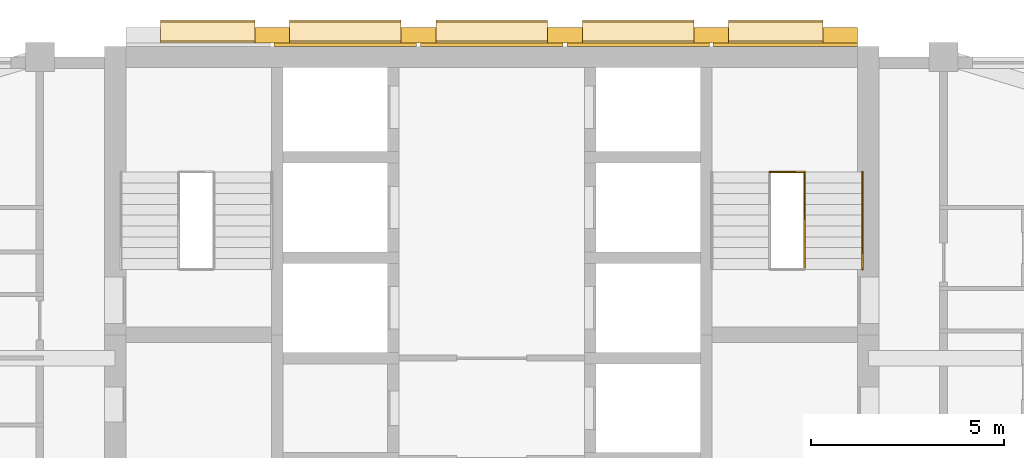
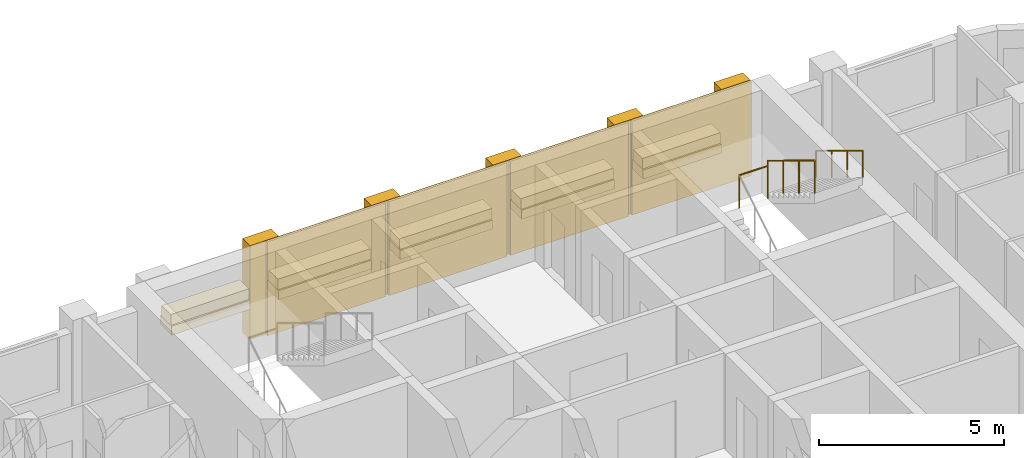
# One storey, part 13 of 13: 19 coverings, 3 railings, 1 element without a shape of its own.
"""IFC4 building model written with IfcOpenShell, lengths in metres."""

from ifc_helpers import new_model, si_unit, direction, frame, origin, origin_2d, place, context, subcontext, project, spatial, rectangle, circle, extrude, material, layer, layer_set, type_object, element, aggregate, save


model = new_model("IFC4")

# Units and contexts
model_context = context("Model", 3, precision=1e-05, world=origin(), true_north=direction((0.0, 1.0)))
body_context = subcontext(model_context, "Body", "Model", "MODEL_VIEW")
ifc_project = project(units=[si_unit("LENGTHUNIT", "METRE"), si_unit("AREAUNIT", "SQUARE_METRE"), si_unit("VOLUMEUNIT", "CUBIC_METRE"), si_unit("PLANEANGLEUNIT", "RADIAN"), si_unit("MASSUNIT", "GRAM", prefix="KILO")], contexts=[model_context])

# Site, building, storey
site_placement = place(None, origin())
site = spatial("IfcSite", under=ifc_project, at=site_placement, CompositionType="ELEMENT")
building_placement = place(site_placement, origin())
building = spatial("IfcBuilding", under=site, at=building_placement, Name="Ludao Terraces", CompositionType="ELEMENT")
storey_placement = place(building_placement, frame((0.0, 0.0, 162.199951171875)))
storey = spatial("IfcBuildingStorey", under=building, at=storey_placement, Name="L44", CompositionType="ELEMENT", Elevation=162.199951171875)

# Coverings
ifc_material_1 = material(Name="Granite cladding", Category="masonry")
ifc_layer_1 = layer(ifc_material_1, 0.39990234375)
ifc_layer_set_1 = layer_set([ifc_layer_1], Name="ENV Core pilaster stone 400")
covering_type_1 = type_object("IfcCoveringType", Name="ENV Core pilaster stone 400", PredefinedType="CLADDING", material=ifc_layer_set_1)
for number, where, z_axis, x_axis, name in (
    (1, (79.31494140625, 85.054931640625, 0.0), (0.0, 0.0, 1.0), (1.0, 0.0, 0.0), "CC-L44-PIL2"),
    (2, (83.10498046875, 85.054931640625, 0.0), (0.0, 0.0, 1.0), (1.0, 0.0, 0.0), "CC-L44-PIL3"),
    (3, (86.89501953125, 85.054931640625, 0.0), (0.0, 0.0, 1.0), (1.0, 0.0, 0.0), "CC-L44-PIL4"),
    (4, (90.68505859375, 85.054931640625, 0.0), (0.0, 0.0, 1.0), (1.0, 0.0, 0.0), "CC-L44-PIL5"),
    (5, (94.02490234375, 85.054931640625, 0.0), (0.0, 0.0, 1.0), (1.0, 0.0, 0.0), "CC-L44-PIL6"),
):
    element("IfcCovering", number, at=place(storey_placement, frame(where, z_axis=z_axis, x_axis=x_axis)), inside=storey, type_object=covering_type_1, Name=name, PredefinedType="CLADDING", context=body_context, shape_type="SweptSolid", body=[
        extrude(rectangle(XDim=0.89990234375, YDim=0.39990234375, at=origin_2d()), origin(), (0.0, 0.0, 1.0), 3.10009765625),
    ])
ifc_layer_2 = layer(ifc_material_1, 0.60009765625)
ifc_layer_set_2 = layer_set([ifc_layer_2], Name="ENV Core planting shelf stone 600")
covering_type_2 = type_object("IfcCoveringType", Name="ENV Core planting shelf stone 600", PredefinedType="CLADDING", material=ifc_layer_set_2)
covering_1_placement = place(storey_placement, frame((77.64501953125, 85.155029296875, 1.0), z_axis=(0.0, 0.0, 1.0), x_axis=(1.0, 0.0, 0.0)))
element("IfcCovering", 6, at=covering_1_placement, inside=storey, type_object=covering_type_2, Name="CC-L44-SHELF1", PredefinedType="CLADDING", context=body_context, shape_type="SweptSolid", body=[
    extrude(rectangle(XDim=2.43994140625, YDim=0.60009765625, at=origin_2d()), origin(), (0.0, 0.0, 1.0), 0.300048828125),
])
for number, where, z_axis, x_axis, name in (
    (7, (81.2099609375, 85.155029296875, 1.0), (0.0, 0.0, 1.0), (1.0, 0.0, 0.0), "CC-L44-SHELF2"),
    (8, (85.0, 85.155029296875, 1.0), (0.0, 0.0, 1.0), (1.0, 0.0, 0.0), "CC-L44-SHELF3"),
    (9, (88.7900390625, 85.155029296875, 1.0), (0.0, 0.0, 1.0), (1.0, 0.0, 0.0), "CC-L44-SHELF4"),
):
    element("IfcCovering", number, at=place(storey_placement, frame(where, z_axis=z_axis, x_axis=x_axis)), inside=storey, type_object=covering_type_2, Name=name, PredefinedType="CLADDING", context=body_context, shape_type="SweptSolid", body=[
        extrude(rectangle(XDim=2.889892578125, YDim=0.60009765625, at=origin_2d()), origin(), (0.0, 0.0, 1.0), 0.300048828125),
    ])
covering_2_placement = place(storey_placement, frame((92.35498046875, 85.155029296875, 1.0), z_axis=(0.0, 0.0, 1.0), x_axis=(1.0, 0.0, 0.0)))
element("IfcCovering", 10, at=covering_2_placement, inside=storey, type_object=covering_type_2, Name="CC-L44-SHELF5", PredefinedType="CLADDING", context=body_context, shape_type="SweptSolid", body=[
    extrude(rectangle(XDim=2.43994140625, YDim=0.60009765625, at=origin_2d()), origin(), (0.0, 0.0, 1.0), 0.300048828125),
])
ifc_layer_3 = layer(ifc_material_1, 0.080078125)
ifc_layer_set_3 = layer_set([ifc_layer_3], Name="ENV Core stone cladding panel 80")
covering_type_3 = type_object("IfcCoveringType", Name="ENV Core stone cladding panel 80", PredefinedType="CLADDING", material=ifc_layer_set_3)
for number, where, z_axis, x_axis, name in (
    (11, (81.2099609375, 84.81494140625, 0.0), (0.0, 0.0, 1.0), (1.0, 0.0, 0.0), "CC-L44-CORE2"),
    (12, (85.0, 84.81494140625, 0.0), (0.0, 0.0, 1.0), (1.0, 0.0, 0.0), "CC-L44-CORE3"),
    (13, (88.7900390625, 84.81494140625, 0.0), (0.0, 0.0, 1.0), (1.0, 0.0, 0.0), "CC-L44-CORE4"),
):
    element("IfcCovering", number, at=place(storey_placement, frame(where, z_axis=z_axis, x_axis=x_axis)), inside=storey, type_object=covering_type_3, Name=name, PredefinedType="CLADDING", context=body_context, shape_type="SweptSolid", body=[
        extrude(rectangle(XDim=3.68994140625, YDim=0.080078125, at=origin_2d()), origin(), (0.0, 0.0, 1.0), 3.10009765625),
    ])
covering_3_placement = place(storey_placement, frame((92.60498046875, 84.81494140625, 0.0), z_axis=(0.0, 0.0, 1.0), x_axis=(1.0, 0.0, 0.0)))
element("IfcCovering", 14, at=covering_3_placement, inside=storey, type_object=covering_type_3, Name="CC-L44-CORE5", PredefinedType="CLADDING", context=body_context, shape_type="SweptSolid", body=[
    extrude(rectangle(XDim=3.739990234375, YDim=0.080078125, at=origin_2d()), origin(), (0.0, 0.0, 1.0), 3.10009765625),
])
ifc_material_2 = material(Name="Planting")
ifc_layer_4 = layer(ifc_material_2, 0.5)
ifc_layer_set_4 = layer_set([ifc_layer_4], Name="ENV Shelf planting bed 350")
covering_type_4 = type_object("IfcCoveringType", Name="ENV Shelf planting bed 350", PredefinedType="USERDEFINED", material=ifc_layer_set_4)
covering_4_placement = place(storey_placement, frame((77.64501953125, 85.155029296875, 1.300048828125), z_axis=(0.0, 0.0, 1.0), x_axis=(1.0, 0.0, 0.0)))
element("IfcCovering", 15, at=covering_4_placement, inside=storey, type_object=covering_type_4, Name="Shelf planting bed L44 1", ObjectType="PLANTING", PredefinedType="USERDEFINED", context=body_context, shape_type="SweptSolid", body=[
    extrude(rectangle(XDim=2.43994140625, YDim=0.5, at=origin_2d()), origin(), (0.0, 0.0, 1.0), 0.35009765625),
])
for number, where, z_axis, x_axis, name in (
    (16, (81.2099609375, 85.155029296875, 1.300048828125), (0.0, 0.0, 1.0), (1.0, 0.0, 0.0), "Shelf planting bed L44 2"),
    (17, (85.0, 85.155029296875, 1.300048828125), (0.0, 0.0, 1.0), (1.0, 0.0, 0.0), "Shelf planting bed L44 3"),
    (18, (88.7900390625, 85.155029296875, 1.300048828125), (0.0, 0.0, 1.0), (1.0, 0.0, 0.0), "Shelf planting bed L44 4"),
):
    element("IfcCovering", number, at=place(storey_placement, frame(where, z_axis=z_axis, x_axis=x_axis)), inside=storey, type_object=covering_type_4, Name=name, ObjectType="PLANTING", PredefinedType="USERDEFINED", context=body_context, shape_type="SweptSolid", body=[
        extrude(rectangle(XDim=2.889892578125, YDim=0.5, at=origin_2d()), origin(), (0.0, 0.0, 1.0), 0.35009765625),
    ])
covering_5_placement = place(storey_placement, frame((92.35498046875, 85.155029296875, 1.300048828125), z_axis=(0.0, 0.0, 1.0), x_axis=(1.0, 0.0, 0.0)))
element("IfcCovering", 19, at=covering_5_placement, inside=storey, type_object=covering_type_4, Name="Shelf planting bed L44 5", ObjectType="PLANTING", PredefinedType="USERDEFINED", context=body_context, shape_type="SweptSolid", body=[
    extrude(rectangle(XDim=2.43994140625, YDim=0.5, at=origin_2d()), origin(), (0.0, 0.0, 1.0), 0.35009765625),
])

# Stair, railings
ifc_material_3 = material(Name="Concrete C40", Category="concrete")
stair_type = type_object("IfcStairType", Name="INT Stair", PredefinedType="HALF_TURN_STAIR", material=ifc_material_3)
stair_placement = place(storey_placement, origin())
stair = element("IfcStair", 20, at=stair_placement, inside=storey, type_object=stair_type, Name="EXIT STAIR 2", PredefinedType="HALF_TURN_STAIR")
ifc_material_4 = material(Name="Stainless steel 304", Category="steel")
railing_type_1 = type_object("IfcRailingType", Name="INT Stair guard 1100", PredefinedType="GUARDRAIL", material=ifc_material_4)
railing_1_placement = place(storey_placement, frame((93.10009765625, 81.52001953125, 1.8701171875)))
railing_1 = element("IfcRailing", 21, at=railing_1_placement, type_object=railing_type_1, Name="ST-L44-S2-R2G", PredefinedType="GUARDRAIL", context=body_context, shape_type="SweptSolid", body=[
    extrude(circle(Radius=0.02392578125, at=origin_2d()), frame((0.0, 0.0, 1.076171875), z_axis=(0.0, -0.85478489116, 0.518982456201), x_axis=(1.0, 0.0, 0.0)), (0.0, 0.0, 1.0), 2.9482421875),
    extrude(circle(Radius=0.02099609375, at=origin_2d()), origin(), (0.0, 0.0, 1.0), 1.052001953125),
    extrude(circle(Radius=0.02099609375, at=origin_2d()), frame((0.0, -0.840087890625, 0.510009765625)), (0.0, 0.0, 1.0), 1.052001953125),
    extrude(circle(Radius=0.02099609375, at=origin_2d()), frame((0.0, -1.679931640625, 1.02001953125)), (0.0, 0.0, 1.0), 1.052001953125),
    extrude(circle(Radius=0.02099609375, at=origin_2d()), frame((0.0, -2.52001953125, 1.530029296875)), (0.0, 0.0, 1.0), 1.052001953125),
])
railing_2_placement = place(storey_placement, frame((92.199951171875, 81.52001953125, 1.699951171875)))
railing_2 = element("IfcRailing", 22, at=railing_2_placement, type_object=railing_type_1, Name="ST-L44-S2-E1G", PredefinedType="GUARDRAIL", context=body_context, shape_type="SweptSolid", body=[
    extrude(circle(Radius=0.02392578125, at=origin_2d()), frame((0.0, 0.0, 1.076171875), z_axis=(1.0, 0.0, 0.0), x_axis=(0.0, 1.0, 0.0)), (0.0, 0.0, 1.0), 0.900146484375),
    extrude(circle(Radius=0.02099609375, at=origin_2d()), origin(), (0.0, 0.0, 1.0), 1.052001953125),
    extrude(circle(Radius=0.02099609375, at=origin_2d()), frame((0.900146484375, 0.0, 0.0)), (0.0, 0.0, 1.0), 1.052001953125),
])
railing_type_2 = type_object("IfcRailingType", Name="INT Stair handrail 900", PredefinedType="HANDRAIL", material=ifc_material_4)
railing_3_placement = place(storey_placement, frame((94.60009765625, 81.52001953125, 1.8701171875)))
railing_3 = element("IfcRailing", 23, at=railing_3_placement, type_object=railing_type_2, Name="ST-L44-S2-R2H", PredefinedType="HANDRAIL", context=body_context, shape_type="SweptSolid", body=[
    extrude(circle(Radius=0.02392578125, at=origin_2d()), frame((0.0, 0.0, 0.8759765625), z_axis=(0.0, -0.85478489116, 0.518982456201), x_axis=(1.0, 0.0, 0.0)), (0.0, 0.0, 1.0), 2.9482421875),
    extrude(circle(Radius=0.02099609375, at=origin_2d()), origin(), (0.0, 0.0, 1.0), 0.851806640625),
    extrude(circle(Radius=0.02099609375, at=origin_2d()), frame((0.0, -0.840087890625, 0.510009765625)), (0.0, 0.0, 1.0), 0.851806640625),
    extrude(circle(Radius=0.02099609375, at=origin_2d()), frame((0.0, -1.679931640625, 1.02001953125)), (0.0, 0.0, 1.0), 0.851806640625),
    extrude(circle(Radius=0.02099609375, at=origin_2d()), frame((0.0, -2.52001953125, 1.530029296875)), (0.0, 0.0, 1.0), 0.851806640625),
])
aggregate(stair, [railing_1, railing_3, railing_2])

save(model, "model.ifc")
